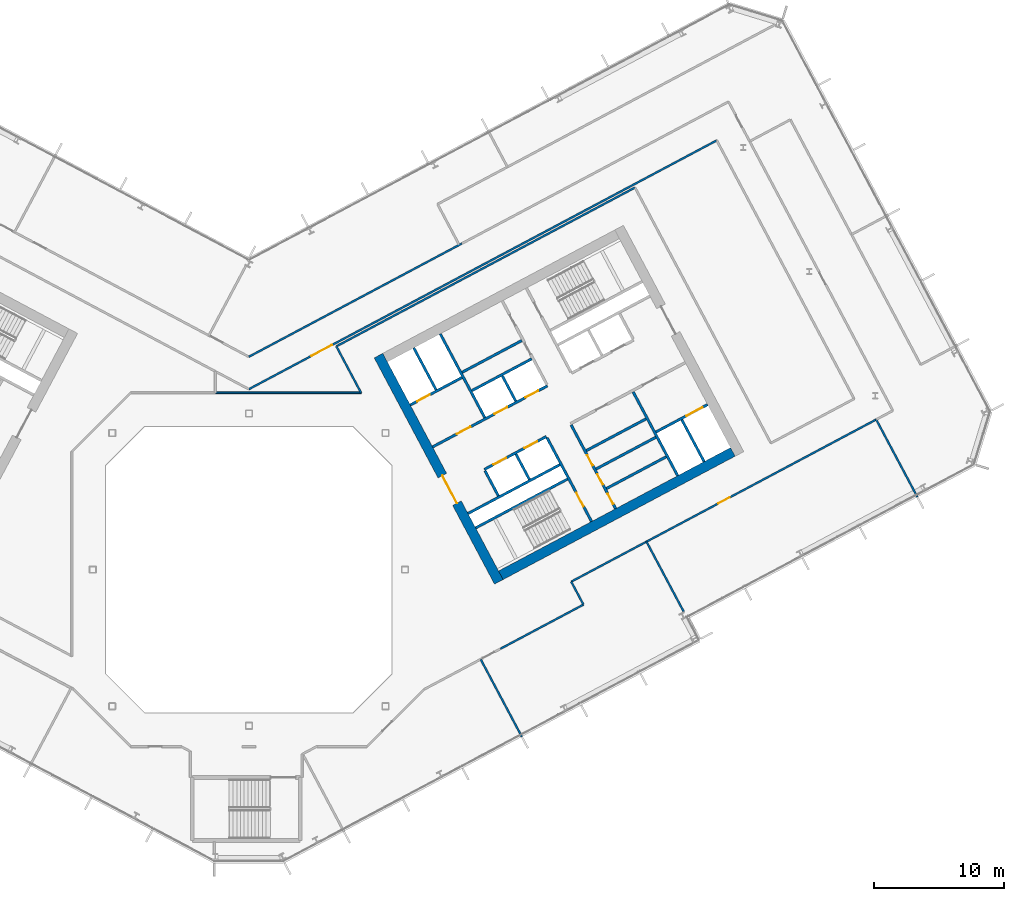
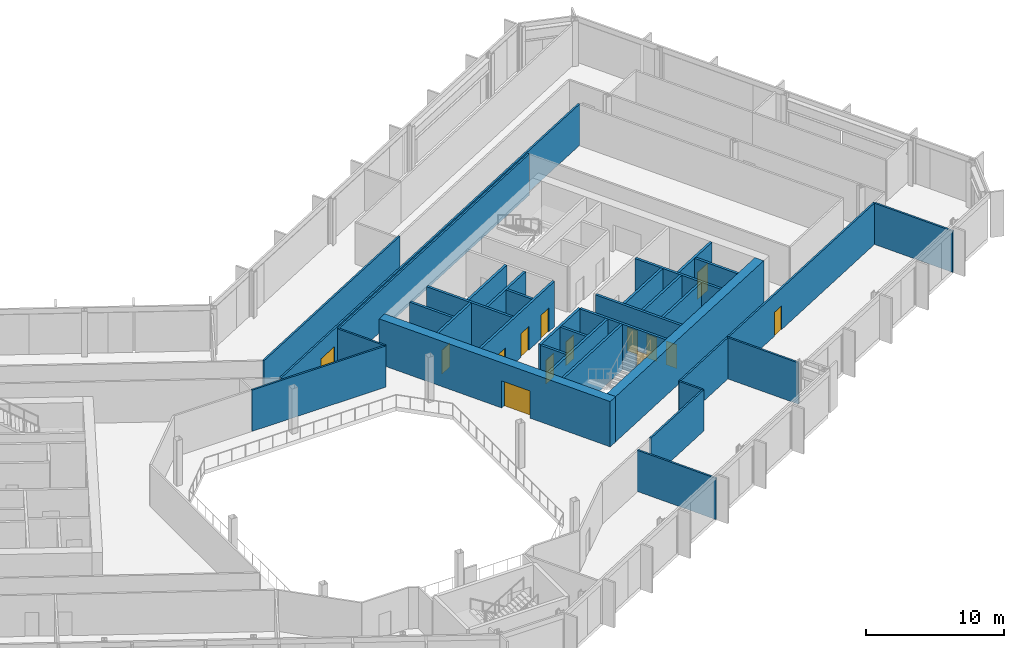
# One storey, part 16 of 28: 33 walls, 14 doors, 14 openings.
"""IFC4 building model written with IfcOpenShell, lengths in metres."""

from ifc_helpers import new_model, si_unit, direction, frame, frame_2d, origin, place, context, subcontext, project, spatial, rectangle, extrude, material, layer, layer_set, type_object, element, fill, save


model = new_model("IFC4")

# Units and contexts
model_context = context("Model", 3, precision=1e-05, world=origin(), true_north=direction((0.0, 1.0)))
body_context = subcontext(model_context, "Body", "Model", "MODEL_VIEW")
ifc_project = project(units=[si_unit("LENGTHUNIT", "METRE"), si_unit("AREAUNIT", "SQUARE_METRE"), si_unit("VOLUMEUNIT", "CUBIC_METRE"), si_unit("PLANEANGLEUNIT", "RADIAN"), si_unit("MASSUNIT", "GRAM", prefix="KILO")], contexts=[model_context])

# Site, building, storey
site_placement = place(None, origin())
site = spatial("IfcSite", under=ifc_project, at=site_placement, CompositionType="ELEMENT")
building_placement = place(site_placement, origin())
building = spatial("IfcBuilding", under=site, at=building_placement, Name="Cormorant Relay Tower", CompositionType="ELEMENT")
storey_placement = place(building_placement, frame((0.0, 0.0, 162.199951171875)))
storey = spatial("IfcBuildingStorey", under=building, at=storey_placement, Name="L34", CompositionType="ELEMENT", Elevation=162.199951171875)

# Walls
ifc_material_1 = material(Name="Concrete 40 MPa", Category="concrete")
ifc_layer_1 = layer(ifc_material_1, 0.199951171875)
ifc_layer_set_1 = layer_set([ifc_layer_1], Name="Core internal wall 200")
wall_type_1 = type_object("IfcWallType", Name="Core internal wall 200", PredefinedType="SOLIDWALL", material=ifc_layer_set_1)
for number, where, z_axis, x_axis, name in (
    (1, (21.567626953125, 6.9375, 0.0), (0.0, 0.0, 1.0), (-0.469533832133, 0.882914480843, 0.0), "L34 core B shaft and room wall"),
    (2, (20.522216796875, 12.950439453125, 0.0), (0.0, 0.0, 1.0), (-0.469401318492, 0.882984938828, 0.0), "L34 core B shaft and room wall"),
):
    element("IfcWall", number, at=place(storey_placement, frame(where, z_axis=z_axis, x_axis=x_axis)), inside=storey, type_object=wall_type_1, Name=name, PredefinedType="SOLIDWALL", context=body_context, shape_type="SweptSolid", body=[
        extrude(rectangle(XDim=2.199951171875, YDim=0.199951171875, at=frame_2d((1.10009765625, 0.0))), origin(), (0.0, 0.0, 1.0), 4.0),
    ])
for number, where, z_axis, x_axis, name in (
    (3, (27.490234375, 6.23583984375, 0.0), (0.0, 0.0, 1.0), (0.882953967957, 0.469459572775, 0.0), "L34 core B shaft and room wall"),
    (4, (26.692138671875, 7.73681640625, 0.0), (0.0, 0.0, 1.0), (0.882953967957, 0.469459572775, 0.0), "L34 core B shaft and room wall"),
    (5, (16.395751953125, 15.17333984375, 0.0), (0.0, 0.0, 1.0), (0.882934506056, 0.469496174655, 0.0), "L34 core B shaft and room wall"),
):
    element("IfcWall", number, at=place(storey_placement, frame(where, z_axis=z_axis, x_axis=x_axis)), inside=storey, type_object=wall_type_1, Name=name, PredefinedType="SOLIDWALL", context=body_context, shape_type="SweptSolid", body=[
        extrude(rectangle(XDim=5.199951171875, YDim=0.199951171875, at=frame_2d((2.60009765625, 0.0))), origin(), (0.0, 0.0, 1.0), 4.0),
    ])
ifc_material_2 = material(Name="Concrete 50 MPa", Category="concrete")
ifc_layer_2 = layer(ifc_material_2, 0.199951171875)
ifc_layer_set_2 = layer_set([ifc_layer_2], Name="Core shaft wall 200")
wall_type_2 = type_object("IfcWallType", Name="Core shaft wall 200", PredefinedType="SHEAR", material=ifc_layer_set_2)
wall_1_placement = place(storey_placement, frame((14.39404296875, 13.825927734375, 0.0), z_axis=(0.0, 0.0, 1.0), x_axis=(-0.469494272526, 0.882935517501, 0.0)))
element("IfcWall", 6, at=wall_1_placement, inside=storey, type_object=wall_type_2, Name="L34 core B shaft wall", PredefinedType="SHEAR", context=body_context, shape_type="SweptSolid", body=[
    extrude(rectangle(XDim=3.64990234375, YDim=0.199951171875, at=frame_2d((1.824951171875, 0.0))), origin(), (0.0, 0.0, 1.0), 4.0),
])
wall_2_placement = place(storey_placement, frame((19.18359375, 5.669921875, 0.0), z_axis=(0.0, 0.0, 1.0), x_axis=(-0.4694473164, 0.882960484464, 0.0)))
element("IfcWall", 7, at=wall_2_placement, inside=storey, type_object=wall_type_2, Name="L34 core B shaft wall", PredefinedType="SHEAR", context=body_context, shape_type="SweptSolid", body=[
    extrude(rectangle(XDim=2.199951171875, YDim=0.199951171875, at=frame_2d((1.10009765625, 0.0))), origin(), (0.0, 0.0, 1.0), 4.0),
])
wall_3_placement = place(storey_placement, frame((18.138427734375, 11.682861328125, 0.0), z_axis=(0.0, 0.0, 1.0), x_axis=(-0.469480409012, 0.88294288918, 0.0)))
element("IfcWall", 8, at=wall_3_placement, inside=storey, type_object=wall_type_2, Name="L34 core B shaft wall", PredefinedType="SHEAR", context=body_context, shape_type="SweptSolid", body=[
    extrude(rectangle(XDim=7.300048828125, YDim=0.199951171875, at=frame_2d((3.64990234375, 0.0))), origin(), (0.0, 0.0, 1.0), 4.0),
])

# Wall, opening, door
wall_4_placement = place(storey_placement, frame((26.345947265625, 3.701904296875, 0.0), z_axis=(0.0, 0.0, 1.0), x_axis=(-0.469480409012, 0.88294288918, 0.0)))
wall_4 = element("IfcWall", 9, at=wall_4_placement, inside=storey, type_object=wall_type_2, Name="L34 core B shaft wall", PredefinedType="SHEAR", context=body_context, shape_type="SweptSolid", body=[
    extrude(rectangle(XDim=7.300048828125, YDim=0.199951171875, at=frame_2d((3.64990234375, 0.0))), origin(), (0.0, 0.0, 1.0), 4.0),
])
opening_1_placement = place(wall_4_placement, frame((1.300048828125, 0.0, 0.0)))
opening_1 = element("IfcOpeningElement", 10, at=opening_1_placement, cuts=wall_4, Name="Opening CDB-036", PredefinedType="OPENING", context=body_context, shape_type="SweptSolid", body=[
    extrude(rectangle(XDim=1.199951171875, YDim=2.10009765625, at=frame_2d((0.60009765625, 1.050048828125))), frame((0.0, 0.10986328125, 0.0), z_axis=(0.0, -1.0, 0.0), x_axis=(1.0, 0.0, 0.0)), (0.0, 0.0, 1.0), 0.219970703125),
])
ifc_material_3 = material(Name="Steel fire door", Category="steel")
door_type_1 = type_object("IfcDoorType", Name="Core stair door 1200x2100", OperationType="SINGLE_SWING_LEFT", PredefinedType="DOOR", material=ifc_material_3)
door_1_placement = place(opening_1_placement, origin())
door_1 = element("IfcDoor", 11, at=door_1_placement, inside=storey, type_object=door_type_1, Name="Core stair door 1200x2100", OperationType="SINGLE_SWING_RIGHT", OverallHeight=2.10009765625, OverallWidth=1.199951171875, PredefinedType="DOOR", context=body_context, shape_type="SweptSolid", body=[
    extrude(rectangle(XDim=1.199951171875, YDim=2.10009765625, at=frame_2d((0.60009765625, 1.050048828125))), frame((0.0, 0.02490234375, 0.0), z_axis=(0.0, -1.0, 0.0), x_axis=(1.0, 0.0, 0.0)), (0.0, 0.0, 1.0), 0.050048828125),
])
fill(opening_1, door_1)

# Wall, openings, doors
wall_5_placement = place(storey_placement, frame((28.199951171875, 4.687744140625, 0.0), z_axis=(0.0, 0.0, 1.0), x_axis=(-0.469454336211, 0.882956752176, 0.0)))
wall_5 = element("IfcWall", 12, at=wall_5_placement, inside=storey, type_object=wall_type_2, Name="L34 core B shaft wall", PredefinedType="SHEAR", context=body_context, shape_type="SweptSolid", body=[
    extrude(rectangle(XDim=7.300048828125, YDim=0.199951171875, at=frame_2d((3.64990234375, 0.0))), origin(), (0.0, 0.0, 1.0), 4.0),
])
opening_2_placement = place(wall_5_placement, frame((0.39990234375, 0.0, 0.0)))
opening_2 = element("IfcOpeningElement", 13, at=opening_2_placement, cuts=wall_5, Name="Opening CDD-181", PredefinedType="OPENING", context=body_context, shape_type="SweptSolid", body=[
    extrude(rectangle(XDim=0.89990234375, YDim=2.10009765625, at=frame_2d((0.449951171875, 1.050048828125))), frame((0.0, 0.10986328125, 0.0), z_axis=(0.0, -1.0, 0.0), x_axis=(1.0, 0.0, 0.0)), (0.0, 0.0, 1.0), 0.219970703125),
])
opening_3_placement = place(wall_5_placement, frame((2.10009765625, 0.0, 0.0)))
opening_3 = element("IfcOpeningElement", 14, at=opening_3_placement, cuts=wall_5, Name="Opening CDD-182", PredefinedType="OPENING", context=body_context, shape_type="SweptSolid", body=[
    extrude(rectangle(XDim=0.89990234375, YDim=2.10009765625, at=frame_2d((0.449951171875, 1.050048828125))), frame((0.0, 0.10986328125, 0.0), z_axis=(0.0, -1.0, 0.0), x_axis=(1.0, 0.0, 0.0)), (0.0, 0.0, 1.0), 0.219970703125),
])
opening_4_placement = place(wall_5_placement, frame((3.75, 0.0, 0.0)))
opening_4 = element("IfcOpeningElement", 15, at=opening_4_placement, cuts=wall_5, Name="Opening CDD-183", PredefinedType="OPENING", context=body_context, shape_type="SweptSolid", body=[
    extrude(rectangle(XDim=0.89990234375, YDim=2.10009765625, at=frame_2d((0.449951171875, 1.050048828125))), frame((0.0, 0.10986328125, 0.0), z_axis=(0.0, -1.0, 0.0), x_axis=(1.0, 0.0, 0.0)), (0.0, 0.0, 1.0), 0.219970703125),
])
ifc_material_4 = material(Name="Steel fire door", Category="steel")
door_type_2 = type_object("IfcDoorType", Name="Core room door 900x2100", OperationType="SINGLE_SWING_LEFT", PredefinedType="DOOR", material=ifc_material_4)
door_2_placement = place(opening_2_placement, frame((0.89990234375, 0.0, 0.0), z_axis=(0.0, 0.0, 1.0), x_axis=(-1.0, 0.0, 0.0)))
door_2 = element("IfcDoor", 16, at=door_2_placement, inside=storey, type_object=door_type_2, Name="Core room door 900x2100", OperationType="SINGLE_SWING_LEFT", OverallHeight=2.10009765625, OverallWidth=0.89990234375, PredefinedType="DOOR", context=body_context, shape_type="SweptSolid", body=[
    extrude(rectangle(XDim=0.89990234375, YDim=2.10009765625, at=frame_2d((0.449951171875, 1.050048828125))), frame((0.0, 0.02490234375, 0.0), z_axis=(0.0, -1.0, 0.0), x_axis=(1.0, 0.0, 0.0)), (0.0, 0.0, 1.0), 0.050048828125),
])
fill(opening_2, door_2)
door_3_placement = place(opening_3_placement, frame((0.89990234375, 0.0, 0.0), z_axis=(0.0, 0.0, 1.0), x_axis=(-1.0, 0.0, 0.0)))
door_3 = element("IfcDoor", 17, at=door_3_placement, inside=storey, type_object=door_type_2, Name="Core room door 900x2100", OperationType="SINGLE_SWING_LEFT", OverallHeight=2.10009765625, OverallWidth=0.89990234375, PredefinedType="DOOR", context=body_context, shape_type="SweptSolid", body=[
    extrude(rectangle(XDim=0.89990234375, YDim=2.10009765625, at=frame_2d((0.449951171875, 1.050048828125))), frame((0.0, 0.02490234375, 0.0), z_axis=(0.0, -1.0, 0.0), x_axis=(1.0, 0.0, 0.0)), (0.0, 0.0, 1.0), 0.050048828125),
])
fill(opening_3, door_3)
door_4_placement = place(opening_4_placement, frame((0.89990234375, 0.0, 0.0), z_axis=(0.0, 0.0, 1.0), x_axis=(-1.0, 0.0, 0.0)))
door_4 = element("IfcDoor", 18, at=door_4_placement, inside=storey, type_object=door_type_2, Name="Core room door 900x2100", OperationType="SINGLE_SWING_LEFT", OverallHeight=2.10009765625, OverallWidth=0.89990234375, PredefinedType="DOOR", context=body_context, shape_type="SweptSolid", body=[
    extrude(rectangle(XDim=0.89990234375, YDim=2.10009765625, at=frame_2d((0.449951171875, 1.050048828125))), frame((0.0, 0.02490234375, 0.0), z_axis=(0.0, -1.0, 0.0), x_axis=(1.0, 0.0, 0.0)), (0.0, 0.0, 1.0), 0.050048828125),
])
fill(opening_4, door_4)

# Walls
wall_6_placement = place(storey_placement, frame((32.968017578125, 7.222900390625, 0.0), z_axis=(0.0, 0.0, 1.0), x_axis=(-0.469480409012, 0.88294288918, 0.0)))
element("IfcWall", 19, at=wall_6_placement, inside=storey, type_object=wall_type_2, Name="L34 core B shaft wall", PredefinedType="SHEAR", context=body_context, shape_type="SweptSolid", body=[
    extrude(rectangle(XDim=7.300048828125, YDim=0.199951171875, at=frame_2d((3.64990234375, 0.0))), origin(), (0.0, 0.0, 1.0), 4.0),
])
wall_7_placement = place(storey_placement, frame((34.998779296875, 8.302734375, 0.0), z_axis=(0.0, 0.0, 1.0), x_axis=(-0.4694665462, 0.882950260207, 0.0)))
element("IfcWall", 20, at=wall_7_placement, inside=storey, type_object=wall_type_2, Name="L34 core B shaft wall", PredefinedType="SHEAR", context=body_context, shape_type="SweptSolid", body=[
    extrude(rectangle(XDim=3.650146484375, YDim=0.199951171875, at=frame_2d((1.8251953125, 0.0))), origin(), (0.0, 0.0, 1.0), 4.0),
])
wall_8_placement = place(storey_placement, frame((17.43359375, 3.210205078125, 0.0), z_axis=(0.0, 0.0, 1.0), x_axis=(0.882940221191, 0.469485426614, 0.0)))
element("IfcWall", 21, at=wall_8_placement, inside=storey, type_object=wall_type_2, Name="L34 core B shaft wall", PredefinedType="SHEAR", context=body_context, shape_type="SweptSolid", body=[
    extrude(rectangle(XDim=8.0, YDim=0.199951171875, at=frame_2d((4.0, 0.0))), origin(), (0.0, 0.0, 1.0), 4.0),
])

# Wall, opening, door
wall_9_placement = place(storey_placement, frame((31.295654296875, 10.5810546875, 0.0), z_axis=(0.0, 0.0, 1.0), x_axis=(0.882960433586, 0.469447412093, 0.0)))
wall_9 = element("IfcWall", 22, at=wall_9_placement, inside=storey, type_object=wall_type_2, Name="L34 core B shaft wall", PredefinedType="SHEAR", context=body_context, shape_type="SweptSolid", body=[
    extrude(rectangle(XDim=4.5, YDim=0.199951171875, at=frame_2d((2.25, 0.0))), origin(), (0.0, 0.0, 1.0), 4.0),
])
opening_5_placement = place(wall_9_placement, frame((2.64990234375, 0.0, 0.0)))
opening_5 = element("IfcOpeningElement", 23, at=opening_5_placement, cuts=wall_9, Name="Opening LD3-014", PredefinedType="OPENING", context=body_context, shape_type="SweptSolid", body=[
    extrude(rectangle(XDim=1.39990234375, YDim=2.39990234375, at=frame_2d((0.699951171875, 1.199951171875))), frame((0.0, 0.10986328125, 0.0), z_axis=(0.0, -1.0, 0.0), x_axis=(1.0, 0.0, 0.0)), (0.0, 0.0, 1.0), 0.219970703125),
])
ifc_material_5 = material(Name="Stainless steel 316", Category="steel")
door_type_3 = type_object("IfcDoorType", Name="Lift landing door 1400x2400", OperationType="DOUBLE_DOOR_SLIDING", PredefinedType="DOOR", material=ifc_material_5)
door_5_placement = place(opening_5_placement, origin())
door_5 = element("IfcDoor", 24, at=door_5_placement, inside=storey, type_object=door_type_3, Name="SV2 landing door", OperationType="DOUBLE_DOOR_SLIDING", OverallHeight=2.39990234375, OverallWidth=1.39990234375, PredefinedType="DOOR", context=body_context, shape_type="SweptSolid", body=[
    extrude(rectangle(XDim=1.39990234375, YDim=2.39990234375, at=frame_2d((0.699951171875, 1.199951171875))), frame((0.0, 0.02490234375, 0.0), z_axis=(0.0, -1.0, 0.0), x_axis=(1.0, 0.0, 0.0)), (0.0, 0.0, 1.0), 0.050048828125),
])
fill(opening_5, door_5)

# Walls
wall_10_placement = place(storey_placement, frame((16.8466796875, 4.31396484375, 0.0), z_axis=(0.0, 0.0, 1.0), x_axis=(0.882940221191, 0.469485426614, 0.0)))
element("IfcWall", 25, at=wall_10_placement, inside=storey, type_object=wall_type_2, Name="L34 core B shaft wall", PredefinedType="SHEAR", context=body_context, shape_type="SweptSolid", body=[
    extrude(rectangle(XDim=8.0, YDim=0.199951171875, at=frame_2d((4.0, 0.0))), origin(), (0.0, 0.0, 1.0), 4.0),
])
wall_11_placement = place(storey_placement, frame((25.94091796875, 9.149658203125, 0.0), z_axis=(0.0, 0.0, 1.0), x_axis=(0.882953967957, 0.469459572775, 0.0)))
element("IfcWall", 26, at=wall_11_placement, inside=storey, type_object=wall_type_2, Name="L34 core B shaft wall", PredefinedType="SHEAR", context=body_context, shape_type="SweptSolid", body=[
    extrude(rectangle(XDim=5.199951171875, YDim=0.199951171875, at=frame_2d((2.60009765625, 0.0))), origin(), (0.0, 0.0, 1.0), 4.0),
])

# Wall, openings, doors
wall_12_placement = place(storey_placement, frame((18.103759765625, 7.70068359375, 0.0), z_axis=(0.0, 0.0, 1.0), x_axis=(0.882952937579, 0.469461510692, 0.0)))
wall_12 = element("IfcWall", 27, at=wall_12_placement, inside=storey, type_object=wall_type_2, Name="L34 core B shaft wall", PredefinedType="SHEAR", context=body_context, shape_type="SweptSolid", body=[
    extrude(rectangle(XDim=5.400146484375, YDim=0.199951171875, at=frame_2d((2.7001953125, 0.0))), origin(), (0.0, 0.0, 1.0), 4.0),
])
opening_6_placement = place(wall_12_placement, frame((0.800048828125, 0.0, 0.0)))
opening_6 = element("IfcOpeningElement", 28, at=opening_6_placement, cuts=wall_12, Name="Opening LD1-048", PredefinedType="OPENING", context=body_context, shape_type="SweptSolid", body=[
    extrude(rectangle(XDim=1.10009765625, YDim=2.10009765625, at=frame_2d((0.550048828125, 1.050048828125))), frame((0.0, 0.10986328125, 0.0), z_axis=(0.0, -1.0, 0.0), x_axis=(1.0, 0.0, 0.0)), (0.0, 0.0, 1.0), 0.219970703125),
])
opening_7_placement = place(wall_12_placement, frame((3.5, 0.0, 0.0)))
opening_7 = element("IfcOpeningElement", 29, at=opening_7_placement, cuts=wall_12, Name="Opening LD1-049", PredefinedType="OPENING", context=body_context, shape_type="SweptSolid", body=[
    extrude(rectangle(XDim=1.10009765625, YDim=2.10009765625, at=frame_2d((0.550048828125, 1.050048828125))), frame((0.0, 0.10986328125, 0.0), z_axis=(0.0, -1.0, 0.0), x_axis=(1.0, 0.0, 0.0)), (0.0, 0.0, 1.0), 0.219970703125),
])
ifc_material_6 = material(Name="Stainless steel 316", Category="steel")
door_type_4 = type_object("IfcDoorType", Name="Lift landing door 1100x2100", OperationType="DOUBLE_DOOR_SLIDING", PredefinedType="DOOR", material=ifc_material_6)
door_6_placement = place(opening_6_placement, origin())
door_6 = element("IfcDoor", 30, at=door_6_placement, inside=storey, type_object=door_type_4, Name="LR5 landing door", OperationType="DOUBLE_DOOR_SLIDING", OverallHeight=2.10009765625, OverallWidth=1.10009765625, PredefinedType="DOOR", context=body_context, shape_type="SweptSolid", body=[
    extrude(rectangle(XDim=1.10009765625, YDim=2.10009765625, at=frame_2d((0.550048828125, 1.050048828125))), frame((0.0, 0.02490234375, 0.0), z_axis=(0.0, -1.0, 0.0), x_axis=(1.0, 0.0, 0.0)), (0.0, 0.0, 1.0), 0.050048828125),
])
fill(opening_6, door_6)
door_7_placement = place(opening_7_placement, origin())
door_7 = element("IfcDoor", 31, at=door_7_placement, inside=storey, type_object=door_type_4, Name="LR6 landing door", OperationType="DOUBLE_DOOR_SLIDING", OverallHeight=2.10009765625, OverallWidth=1.10009765625, PredefinedType="DOOR", context=body_context, shape_type="SweptSolid", body=[
    extrude(rectangle(XDim=1.10009765625, YDim=2.10009765625, at=frame_2d((0.550048828125, 1.050048828125))), frame((0.0, 0.02490234375, 0.0), z_axis=(0.0, -1.0, 0.0), x_axis=(1.0, 0.0, 0.0)), (0.0, 0.0, 1.0), 0.050048828125),
])
fill(opening_7, door_7)

wall_13_placement = place(storey_placement, frame((14.123779296875, 9.43505859375, 0.0), z_axis=(0.0, 0.0, 1.0), x_axis=(0.882940221191, 0.469485426614, 0.0)))
wall_13 = element("IfcWall", 32, at=wall_13_placement, inside=storey, type_object=wall_type_2, Name="L34 core B shaft wall", PredefinedType="SHEAR", context=body_context, shape_type="SweptSolid", body=[
    extrude(rectangle(XDim=10.0, YDim=0.199951171875, at=frame_2d((5.0, 0.0))), origin(), (0.0, 0.0, 1.0), 4.0),
])
opening_8_placement = place(wall_13_placement, frame((2.10009765625, 0.0, 0.0)))
opening_8 = element("IfcOpeningElement", 33, at=opening_8_placement, cuts=wall_13, Name="Opening CDC-027", PredefinedType="OPENING", context=body_context, shape_type="SweptSolid", body=[
    extrude(rectangle(XDim=1.199951171875, YDim=2.10009765625, at=frame_2d((0.60009765625, 1.050048828125))), frame((0.0, 0.10986328125, 0.0), z_axis=(0.0, -1.0, 0.0), x_axis=(1.0, 0.0, 0.0)), (0.0, 0.0, 1.0), 0.219970703125),
])
opening_9_placement = place(wall_13_placement, frame((5.39990234375, 0.0, 0.0)))
opening_9 = element("IfcOpeningElement", 34, at=opening_9_placement, cuts=wall_13, Name="Opening LD1-044", PredefinedType="OPENING", context=body_context, shape_type="SweptSolid", body=[
    extrude(rectangle(XDim=1.10009765625, YDim=2.10009765625, at=frame_2d((0.550048828125, 1.050048828125))), frame((0.0, 0.10986328125, 0.0), z_axis=(0.0, -1.0, 0.0), x_axis=(1.0, 0.0, 0.0)), (0.0, 0.0, 1.0), 0.219970703125),
])
opening_10_placement = place(wall_13_placement, frame((8.10009765625, 0.0, 0.0)))
opening_10 = element("IfcOpeningElement", 35, at=opening_10_placement, cuts=wall_13, Name="Opening LD1-045", PredefinedType="OPENING", context=body_context, shape_type="SweptSolid", body=[
    extrude(rectangle(XDim=1.10009765625, YDim=2.10009765625, at=frame_2d((0.550048828125, 1.050048828125))), frame((0.0, 0.10986328125, 0.0), z_axis=(0.0, -1.0, 0.0), x_axis=(1.0, 0.0, 0.0)), (0.0, 0.0, 1.0), 0.219970703125),
])
ifc_material_7 = material(Name="Steel fire door", Category="steel")
door_type_5 = type_object("IfcDoorType", Name="Core lobby door 1200x2100", OperationType="SINGLE_SWING_LEFT", PredefinedType="DOOR", material=ifc_material_7)
door_8_placement = place(opening_8_placement, origin())
door_8 = element("IfcDoor", 36, at=door_8_placement, inside=storey, type_object=door_type_5, Name="Core lobby door 1200x2100", OperationType="SINGLE_SWING_RIGHT", OverallHeight=2.10009765625, OverallWidth=1.199951171875, PredefinedType="DOOR", context=body_context, shape_type="SweptSolid", body=[
    extrude(rectangle(XDim=1.199951171875, YDim=2.10009765625, at=frame_2d((0.60009765625, 1.050048828125))), frame((0.0, 0.02490234375, 0.0), z_axis=(0.0, -1.0, 0.0), x_axis=(1.0, 0.0, 0.0)), (0.0, 0.0, 1.0), 0.050048828125),
])
fill(opening_8, door_8)
door_9_placement = place(opening_9_placement, origin())
door_9 = element("IfcDoor", 37, at=door_9_placement, inside=storey, type_object=door_type_4, Name="LR1 landing door", OperationType="DOUBLE_DOOR_SLIDING", OverallHeight=2.10009765625, OverallWidth=1.10009765625, PredefinedType="DOOR", context=body_context, shape_type="SweptSolid", body=[
    extrude(rectangle(XDim=1.10009765625, YDim=2.10009765625, at=frame_2d((0.550048828125, 1.050048828125))), frame((0.0, 0.02490234375, 0.0), z_axis=(0.0, -1.0, 0.0), x_axis=(1.0, 0.0, 0.0)), (0.0, 0.0, 1.0), 0.050048828125),
])
fill(opening_9, door_9)
door_10_placement = place(opening_10_placement, origin())
door_10 = element("IfcDoor", 38, at=door_10_placement, inside=storey, type_object=door_type_4, Name="LR2 landing door", OperationType="DOUBLE_DOOR_SLIDING", OverallHeight=2.10009765625, OverallWidth=1.10009765625, PredefinedType="DOOR", context=body_context, shape_type="SweptSolid", body=[
    extrude(rectangle(XDim=1.10009765625, YDim=2.10009765625, at=frame_2d((0.550048828125, 1.050048828125))), frame((0.0, 0.02490234375, 0.0), z_axis=(0.0, -1.0, 0.0), x_axis=(1.0, 0.0, 0.0)), (0.0, 0.0, 1.0), 0.050048828125),
])
fill(opening_10, door_10)

# Wall
wall_14_placement = place(storey_placement, frame((17.146728515625, 13.7607421875, 0.0), z_axis=(0.0, 0.0, 1.0), x_axis=(0.882964314875, 0.469440111896, 0.0)))
element("IfcWall", 39, at=wall_14_placement, inside=storey, type_object=wall_type_2, Name="L34 core B shaft wall", PredefinedType="SHEAR", context=body_context, shape_type="SweptSolid", body=[
    extrude(rectangle(XDim=5.2001953125, YDim=0.199951171875, at=frame_2d((2.60009765625, 0.0))), origin(), (0.0, 0.0, 1.0), 4.0),
])

# Wall, opening, door
wall_15_placement = place(storey_placement, frame((12.41015625, 12.657958984375, 0.0), z_axis=(0.0, 0.0, 1.0), x_axis=(0.8829484765, 0.469469900894, 0.0)))
wall_15 = element("IfcWall", 40, at=wall_15_placement, inside=storey, type_object=wall_type_2, Name="L34 core B shaft wall", PredefinedType="SHEAR", context=body_context, shape_type="SweptSolid", body=[
    extrude(rectangle(XDim=4.499755859375, YDim=0.199951171875, at=frame_2d((2.25, 0.0))), origin(), (0.0, 0.0, 1.0), 4.0),
])
opening_11_placement = place(wall_15_placement, frame((0.60009765625, 0.0, 0.0)))
opening_11 = element("IfcOpeningElement", 41, at=opening_11_placement, cuts=wall_15, Name="Opening LD1-050", PredefinedType="OPENING", context=body_context, shape_type="SweptSolid", body=[
    extrude(rectangle(XDim=1.10009765625, YDim=2.10009765625, at=frame_2d((0.550048828125, 1.050048828125))), frame((0.0, 0.10986328125, 0.0), z_axis=(0.0, -1.0, 0.0), x_axis=(1.0, 0.0, 0.0)), (0.0, 0.0, 1.0), 0.219970703125),
])
door_11_placement = place(opening_11_placement, origin())
door_11 = element("IfcDoor", 42, at=door_11_placement, inside=storey, type_object=door_type_4, Name="FF2 landing door", OperationType="DOUBLE_DOOR_SLIDING", OverallHeight=2.10009765625, OverallWidth=1.10009765625, PredefinedType="DOOR", context=body_context, shape_type="SweptSolid", body=[
    extrude(rectangle(XDim=1.10009765625, YDim=2.10009765625, at=frame_2d((0.550048828125, 1.050048828125))), frame((0.0, 0.02490234375, 0.0), z_axis=(0.0, -1.0, 0.0), x_axis=(1.0, 0.0, 0.0)), (0.0, 0.0, 1.0), 0.050048828125),
])
fill(opening_11, door_11)

ifc_material_8 = material(Name="Concrete 60 MPa", Category="concrete")
ifc_layer_3 = layer(ifc_material_8, 0.75)
ifc_layer_set_3 = layer_set([ifc_layer_3], Name="Core wall 750")
wall_type_3 = type_object("IfcWallType", Name="Core wall 750", PredefinedType="SHEAR", material=ifc_layer_set_3)
wall_16_placement = place(storey_placement, frame((19.215087890625, -0.93896484375, 0.0), z_axis=(0.0, 0.0, 1.0), x_axis=(-0.469479580143, 0.882943329908, 0.0)))
wall_16 = element("IfcWall", 43, at=wall_16_placement, inside=storey, type_object=wall_type_3, Name="L34 core B wall", PredefinedType="SHEAR", context=body_context, shape_type="SweptSolid", body=[
    extrude(rectangle(XDim=19.699951171875, YDim=0.75, at=frame_2d((9.85009765625, 0.0))), origin(), (0.0, 0.0, 1.0), 4.0),
])
opening_12_placement = place(wall_16_placement, frame((6.85009765625, 0.0, 0.0)))
opening_12 = element("IfcOpeningElement", 44, at=opening_12_placement, cuts=wall_16, Name="Opening CDA-031", PredefinedType="OPENING", context=body_context, shape_type="SweptSolid", body=[
    extrude(rectangle(XDim=2.39990234375, YDim=2.39990234375, at=frame_2d((1.199951171875, 1.199951171875))), frame((0.0, 0.385009765625, 0.0), z_axis=(0.0, -1.0, 0.0), x_axis=(1.0, 0.0, 0.0)), (0.0, 0.0, 1.0), 0.77001953125),
])
ifc_material_9 = material(Name="Steel fire door", Category="steel")
door_type_6 = type_object("IfcDoorType", Name="Core lobby door 2400x2400", OperationType="DOUBLE_DOOR_SINGLE_SWING", PredefinedType="DOOR", material=ifc_material_9)
door_12_placement = place(opening_12_placement, origin())
door_12 = element("IfcDoor", 45, at=door_12_placement, inside=storey, type_object=door_type_6, Name="Core lobby door 2400x2400", OperationType="DOUBLE_DOOR_SINGLE_SWING", OverallHeight=2.39990234375, OverallWidth=2.39990234375, PredefinedType="DOOR", context=body_context, shape_type="SweptSolid", body=[
    extrude(rectangle(XDim=2.39990234375, YDim=2.39990234375, at=frame_2d((1.199951171875, 1.199951171875))), frame((0.0, 0.02490234375, 0.0), z_axis=(0.0, -1.0, 0.0), x_axis=(1.0, 0.0, 0.0)), (0.0, 0.0, 1.0), 0.050048828125),
])
fill(opening_12, door_12)

# Walls
wall_17_placement = place(storey_placement, frame((19.3701171875, -0.431884765625, 0.0), z_axis=(0.0, 0.0, 1.0), x_axis=(0.88294509198, 0.469476266226, 0.0)))
element("IfcWall", 46, at=wall_17_placement, inside=storey, type_object=wall_type_3, Name="L34 core B wall", PredefinedType="SHEAR", context=body_context, shape_type="SweptSolid", body=[
    extrude(rectangle(XDim=20.199951171875, YDim=0.75, at=frame_2d((10.10009765625, 0.0))), origin(), (0.0, 0.0, 1.0), 4.0),
])
ifc_material_10 = material(Name="Gypsum board fire partition")
ifc_layer_4 = layer(ifc_material_10, 0.14990234375)
ifc_layer_set_4 = layer_set([ifc_layer_4], Name="Corridor partition 150 EI 60")
wall_type_4 = type_object("IfcWallType", Name="Corridor partition 150 EI 60", PredefinedType="PARTITIONING", material=ifc_layer_set_4)
wall_18_placement = place(storey_placement, frame((0.0, 16.365966796875, 0.0), z_axis=(0.0, 0.0, 1.0), x_axis=(0.882949964187, 0.469467102939, 0.0)))
element("IfcWall", 47, at=wall_18_placement, inside=storey, type_object=wall_type_4, Name="wall/L34/part/040", PredefinedType="PARTITIONING", context=body_context, shape_type="SweptSolid", body=[
    extrude(rectangle(XDim=18.54248046875, YDim=0.14990234375, at=frame_2d((9.271240234375, 0.0))), origin(), (0.0, 0.0, 1.0), 3.64013671875),
])

# Wall, opening, door
wall_19_placement = place(storey_placement, frame((0.0, 13.8740234375, 0.0), z_axis=(0.0, 0.0, 1.0), x_axis=(0.882942852858, 0.469480477322, 0.0)))
wall_19 = element("IfcWall", 48, at=wall_19_placement, inside=storey, type_object=wall_type_4, Name="wall/L34/part/051", PredefinedType="PARTITIONING", context=body_context, shape_type="SweptSolid", body=[
    extrude(rectangle(XDim=40.736572265625, YDim=0.14990234375, at=frame_2d((20.3681640625, 0.0))), origin(), (0.0, 0.0, 1.0), 3.64013671875),
])
opening_13_placement = place(wall_19_placement, frame((5.449951171875, 0.0, 0.0)))
opening_13 = element("IfcOpeningElement", 49, at=opening_13_placement, cuts=wall_19, Name="Opening DD-013", PredefinedType="OPENING", context=body_context, shape_type="SweptSolid", body=[
    extrude(rectangle(XDim=1.800048828125, YDim=2.10009765625, at=frame_2d((0.89990234375, 1.050048828125))), frame((0.0, 0.0849609375, 0.0), z_axis=(0.0, -1.0, 0.0), x_axis=(1.0, 0.0, 0.0)), (0.0, 0.0, 1.0), 0.169921875),
])
ifc_material_11 = material(Name="Timber door leaf", Category="wood")
door_type_7 = type_object("IfcDoorType", Name="Suite double door 1800x2100", OperationType="DOUBLE_DOOR_SINGLE_SWING", PredefinedType="DOOR", material=ifc_material_11)
door_13_placement = place(opening_13_placement, frame((1.800048828125, 0.0, 0.0), z_axis=(0.0, 0.0, 1.0), x_axis=(-1.0, 0.0, 0.0)))
door_13 = element("IfcDoor", 50, at=door_13_placement, inside=storey, type_object=door_type_7, Name="door/L34/002", OperationType="DOUBLE_DOOR_SINGLE_SWING", OverallHeight=2.10009765625, OverallWidth=1.800048828125, PredefinedType="DOOR", context=body_context, shape_type="SweptSolid", body=[
    extrude(rectangle(XDim=1.800048828125, YDim=2.10009765625, at=frame_2d((0.89990234375, 1.050048828125))), frame((0.0, 0.02490234375, 0.0), z_axis=(0.0, -1.0, 0.0), x_axis=(1.0, 0.0, 0.0)), (0.0, 0.0, 1.0), 0.050048828125),
])
fill(opening_13, door_13)

# Walls
wall_20_placement = place(storey_placement, frame((29.68408203125, 29.3740234375, 0.0), z_axis=(0.0, 0.0, 1.0), x_axis=(-0.882945936391, -0.469474678136, 0.0)))
element("IfcWall", 51, at=wall_20_placement, inside=storey, type_object=wall_type_4, Name="wall/L34/part/055", PredefinedType="PARTITIONING", context=body_context, shape_type="SweptSolid", body=[
    extrude(rectangle(XDim=25.999267578125, YDim=0.14990234375, at=frame_2d((12.99951171875, 0.0))), origin(), (0.0, 0.0, 1.0), 3.64013671875),
])
wall_21_placement = place(storey_placement, frame((6.72802734375, 17.16796875, 0.0), z_axis=(0.0, 0.0, 1.0), x_axis=(0.469452644844, -0.882957651447, 0.0)))
element("IfcWall", 52, at=wall_21_placement, inside=storey, type_object=wall_type_4, Name="wall/L34/part/056", PredefinedType="PARTITIONING", context=body_context, shape_type="SweptSolid", body=[
    extrude(rectangle(XDim=4.040771484375, YDim=0.14990234375, at=frame_2d((2.0205078125, 0.0))), origin(), (0.0, 0.0, 1.0), 3.64013671875),
])
wall_22_placement = place(storey_placement, frame((8.625, 13.60009765625, 0.0), z_axis=(0.0, 0.0, 1.0), x_axis=(-1.0, 0.0, 0.0)))
element("IfcWall", 53, at=wall_22_placement, inside=storey, type_object=wall_type_4, Name="wall/L34/part/057", PredefinedType="PARTITIONING", context=body_context, shape_type="SweptSolid", body=[
    extrude(rectangle(XDim=11.195068359375, YDim=0.14990234375, at=frame_2d((5.59765625, 0.0))), origin(), (0.0, 0.0, 1.0), 3.64013671875),
])
wall_23_placement = place(storey_placement, frame((25.722900390625, -2.68798828125, 0.0), z_axis=(0.0, 0.0, 1.0), x_axis=(-0.882926637088, -0.469510972738, 0.0)))
element("IfcWall", 54, at=wall_23_placement, inside=storey, type_object=wall_type_4, Name="wall/L34/part/071", PredefinedType="PARTITIONING", context=body_context, shape_type="SweptSolid", body=[
    extrude(rectangle(XDim=7.224609375, YDim=0.14990234375, at=frame_2d((3.6123046875, 0.0))), origin(), (0.0, 0.0, 1.0), 3.64013671875),
])
wall_24_placement = place(storey_placement, frame((25.721923828125, -2.68896484375, 0.0), z_axis=(0.0, 0.0, 1.0), x_axis=(-0.469128414652, 0.883129962444, 0.0)))
element("IfcWall", 55, at=wall_24_placement, inside=storey, type_object=wall_type_4, Name="wall/L34/part/072", PredefinedType="PARTITIONING", context=body_context, shape_type="SweptSolid", body=[
    extrude(rectangle(XDim=1.997314453125, YDim=0.14990234375, at=frame_2d((0.99853515625, 0.0))), origin(), (0.0, 0.0, 1.0), 3.64013671875),
])

# Wall, opening, door
wall_25_placement = place(storey_placement, frame((48.22802734375, 11.54296875, 0.0), z_axis=(0.0, 0.0, 1.0), x_axis=(-0.882937917869, -0.469489758342, 0.0)))
wall_25 = element("IfcWall", 56, at=wall_25_placement, inside=storey, type_object=wall_type_4, Name="wall/L34/part/075", PredefinedType="PARTITIONING", context=body_context, shape_type="SweptSolid", body=[
    extrude(rectangle(XDim=26.55224609375, YDim=0.14990234375, at=frame_2d((13.276123046875, 0.0))), origin(), (0.0, 0.0, 1.0), 3.64013671875),
])
opening_14_placement = place(wall_25_placement, frame((12.75, 0.0, 0.0)))
opening_14 = element("IfcOpeningElement", 57, at=opening_14_placement, cuts=wall_25, Name="Opening DS-047", PredefinedType="OPENING", context=body_context, shape_type="SweptSolid", body=[
    extrude(rectangle(XDim=1.0, YDim=2.10009765625, at=frame_2d((0.5, 1.050048828125))), frame((0.0, 0.0849609375, 0.0), z_axis=(0.0, -1.0, 0.0), x_axis=(1.0, 0.0, 0.0)), (0.0, 0.0, 1.0), 0.169921875),
])
ifc_material_12 = material(Name="Timber door leaf", Category="wood")
door_type_8 = type_object("IfcDoorType", Name="Suite door 1000x2100", OperationType="SINGLE_SWING_LEFT", PredefinedType="DOOR", material=ifc_material_12)
door_14_placement = place(opening_14_placement, origin())
door_14 = element("IfcDoor", 58, at=door_14_placement, inside=storey, type_object=door_type_8, Name="door/L34/005", OperationType="SINGLE_SWING_RIGHT", OverallHeight=2.10009765625, OverallWidth=1.0, PredefinedType="DOOR", context=body_context, shape_type="SweptSolid", body=[
    extrude(rectangle(XDim=1.0, YDim=2.10009765625, at=frame_2d((0.5, 1.050048828125))), frame((0.0, 0.02490234375, 0.0), z_axis=(0.0, -1.0, 0.0), x_axis=(1.0, 0.0, 0.0)), (0.0, 0.0, 1.0), 0.050048828125),
])
fill(opening_14, door_14)

# Walls
ifc_material_13 = material(Name="Gypsum board partition")
ifc_layer_5 = layer(ifc_material_13, 0.14990234375)
ifc_layer_set_5 = layer_set([ifc_layer_5], Name="Tenant partition 150")
wall_type_5 = type_object("IfcWallType", Name="Tenant partition 150", PredefinedType="PARTITIONING", material=ifc_layer_set_5)
wall_26_placement = place(storey_placement, frame((17.821044921875, -6.889892578125, 0.0), z_axis=(0.0, 0.0, 1.0), x_axis=(0.469454014738, -0.882956923098, 0.0)))
element("IfcWall", 59, at=wall_26_placement, inside=storey, type_object=wall_type_5, Name="wall/L34/part/064", PredefinedType="PARTITIONING", context=body_context, shape_type="SweptSolid", body=[
    extrude(rectangle(XDim=6.750244140625, YDim=0.14990234375, at=frame_2d((3.375, 0.0))), origin(), (0.0, 0.0, 1.0), 3.64013671875),
])
wall_27_placement = place(storey_placement, frame((30.568115234375, 2.153076171875, 0.0), z_axis=(0.0, 0.0, 1.0), x_axis=(0.469403906404, -0.88298356307, 0.0)))
element("IfcWall", 60, at=wall_27_placement, inside=storey, type_object=wall_type_5, Name="wall/L34/part/074", PredefinedType="PARTITIONING", context=body_context, shape_type="SweptSolid", body=[
    extrude(rectangle(XDim=6.100830078125, YDim=0.14990234375, at=frame_2d((3.05029296875, 0.0))), origin(), (0.0, 0.0, 1.0), 3.64013671875),
])
wall_28_placement = place(storey_placement, frame((48.22607421875, 11.5419921875, 0.0), z_axis=(0.0, 0.0, 1.0), x_axis=(0.469469006851, -0.882948951869, 0.0)))
element("IfcWall", 61, at=wall_28_placement, inside=storey, type_object=wall_type_5, Name="wall/L34/part/076", PredefinedType="PARTITIONING", context=body_context, shape_type="SweptSolid", body=[
    extrude(rectangle(XDim=6.75, YDim=0.14990234375, at=frame_2d((3.375, 0.0))), origin(), (0.0, 0.0, 1.0), 3.64013671875),
])

save(model, "model.ifc")
